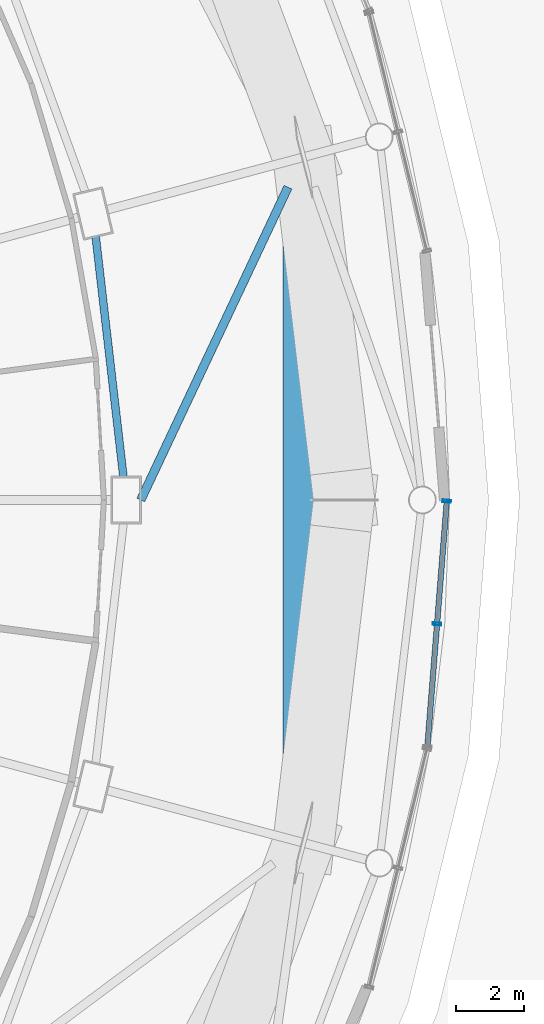
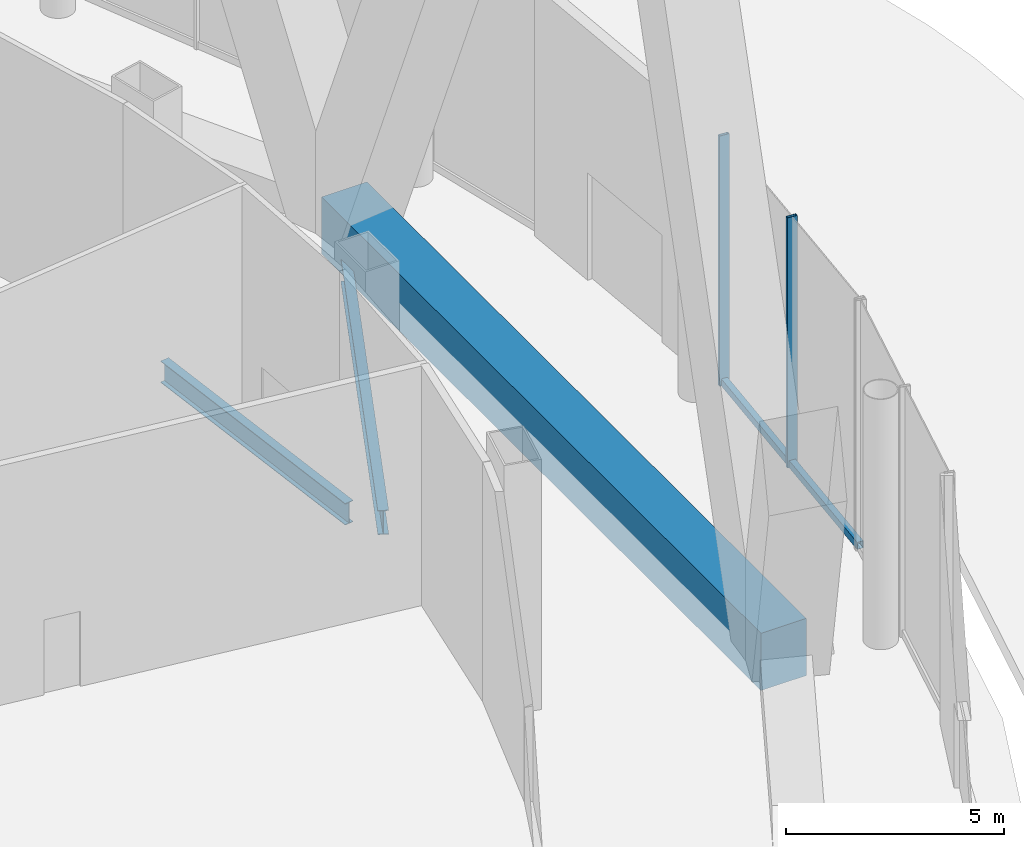
# One storey, part 36 of 67: 4 members, 2 beams, 1 element without a shape of its own.
"""IFC4 building model written with IfcOpenShell, lengths in metres."""

import ifcopenshell
import ifcopenshell.guid

model = None  # the IFC model being written
_history = None  # IfcOwnerHistory: only IFC2X3 demands one
_inside = {}  # id of a spatial element -> (the spatial element, [elements in it])
_under = {}  # id of a project, library or spatial element -> (it, [spatial elements below it])
_declared = {}  # id of a project -> (the project, [libraries it declares])
_typed = {}  # id of a type object -> (the type object, [elements of that type])
_made_of = {}  # id of a material, layer set ... -> (it, [elements and type objects made of it])


def new_model(schema):
    """Start an empty IFC model of exactly this schema.

    Asked for "IFC4X3", IfcOpenShell would pick the latest addendum, in which some entities
    have other attributes; the version numbers below select the first issue.
    IFC2X3 requires an IfcOwnerHistory on every rooted entity: one is made here for all.
    """
    global model, _history
    if schema == "IFC4X3":
        model = ifcopenshell.file(schema_version=(4, 3, 0, 0))
    else:
        model = ifcopenshell.file(schema=schema)
    _inside.clear()
    _under.clear()
    _declared.clear()
    _typed.clear()
    _made_of.clear()
    _history = None
    if model.schema == "IFC2X3":
        org = make("IfcOrganization", Name="unknown")
        user = make(
            "IfcPersonAndOrganization",
            ThePerson=make("IfcPerson", FamilyName="unknown"),
            TheOrganization=org,
        )
        app = make(
            "IfcApplication",
            ApplicationDeveloper=org,
            Version="unknown",
            ApplicationFullName="unknown",
            ApplicationIdentifier="unknown",
        )
        _history = make(
            "IfcOwnerHistory",
            OwningUser=user,
            OwningApplication=app,
            ChangeAction="ADDED",
            CreationDate=0,
        )
    return model


def make(cls, **values):
    """One entity of the class cls with the attributes given. An attribute that is None is left unset."""
    return model.create_entity(
        cls, **{name: value for name, value in values.items() if value is not None}
    )


def rooted(cls, **values):
    """An entity with a GlobalId (a new one), such as an element, a storey or a relation."""
    return make(cls, GlobalId=ifcopenshell.guid.new(), OwnerHistory=_history, **values)


def si_unit(unit_type, name, prefix=None):
    """IfcSIUnit, for example si_unit("LENGTHUNIT", "METRE", prefix="MILLI")."""
    return make("IfcSIUnit", UnitType=unit_type, Prefix=prefix, Name=name)


def assignment(units):
    """IfcUnitAssignment: the units of a project."""
    return None if units is None else make("IfcUnitAssignment", Units=units)


def point(xyz):
    """IfcCartesianPoint."""
    return None if xyz is None else make("IfcCartesianPoint", Coordinates=xyz)


def direction(xyz):
    """IfcDirection."""
    return None if xyz is None else make("IfcDirection", DirectionRatios=xyz)


def frame(location, z_axis=None, x_axis=None):
    """IfcAxis2Placement3D, a coordinate frame: its origin and axes. An axis left out is left unset."""
    return make(
        "IfcAxis2Placement3D",
        Location=point(location),
        Axis=direction(z_axis),
        RefDirection=direction(x_axis),
    )


def frame_2d(location, x_axis=None):
    """IfcAxis2Placement2D, a coordinate frame in the plane: its origin and x axis."""
    return make(
        "IfcAxis2Placement2D", Location=point(location), RefDirection=direction(x_axis)
    )


def origin():
    """The frame at (0, 0, 0) with its axes left unset."""
    return frame((0.0, 0.0, 0.0))


def origin_2d():
    """The frame at (0, 0) in the plane with its x axis left unset."""
    return frame_2d((0.0, 0.0))


def place(relative_to, where):
    """IfcLocalPlacement: puts the frame where relative to a parent placement (None: the world)."""
    return make(
        "IfcLocalPlacement", PlacementRelTo=relative_to, RelativePlacement=where
    )


def context(
    kind, dimensions, precision=None, world=None, true_north=None, identifier=None
):
    """IfcGeometricRepresentationContext, for example the 3D "Model" context."""
    return make(
        "IfcGeometricRepresentationContext",
        ContextIdentifier=identifier,
        ContextType=kind,
        CoordinateSpaceDimension=dimensions,
        Precision=precision,
        WorldCoordinateSystem=world,
        TrueNorth=true_north,
    )


def subcontext(parent, identifier, kind, view, scale=None):
    """IfcGeometricRepresentationSubContext, for example "Body" below "Model"."""
    return make(
        "IfcGeometricRepresentationSubContext",
        ContextIdentifier=identifier,
        ContextType=kind,
        ParentContext=parent,
        TargetScale=scale,
        TargetView=view,
    )


def project(units=None, contexts=None):
    """IfcProject with its units and contexts."""
    return rooted(
        "IfcProject",
        Name="project",
        RepresentationContexts=contexts,
        UnitsInContext=assignment(units),
    )


def spatial(cls, under=None, at=None, **own):
    """A site, building, storey or space (cls), placed at a placement, below another one or the project."""
    s = rooted(cls, ObjectPlacement=at, **own)
    if under is not None:
        _under.setdefault(under.id(), (under, []))[1].append(s)
    return s


def profile(cls, at=None, kind="AREA", **sizes):
    """A parametric profile (cls). Its sizes go by their IFC names, for example OverallWidth=200.0."""
    return make(cls, ProfileType=kind, Position=at, **sizes)


def rectangle(**sizes):
    """IfcRectangleProfileDef."""
    return profile("IfcRectangleProfileDef", **sizes)


def hollow_rectangle(**sizes):
    """IfcRectangleHollowProfileDef."""
    return profile("IfcRectangleHollowProfileDef", **sizes)


def i_section(**sizes):
    """IfcIShapeProfileDef."""
    return profile("IfcIShapeProfileDef", **sizes)


def extrude(swept, where, along, depth):
    """IfcExtrudedAreaSolid: the profile swept, set in the frame where, extruded along a direction by depth."""
    return make(
        "IfcExtrudedAreaSolid",
        SweptArea=swept,
        Position=where,
        ExtrudedDirection=direction(along),
        Depth=depth,
    )


def shape(context_of_items, identifier, shape_type, items):
    """IfcShapeRepresentation: the items that make up one representation, for example the "Body"."""
    return make(
        "IfcShapeRepresentation",
        ContextOfItems=context_of_items,
        RepresentationIdentifier=identifier,
        RepresentationType=shape_type,
        Items=items,
    )


def material(Name=None, Category=None):
    """IfcMaterial."""
    return make("IfcMaterial", Name=Name, Category=Category)


def layer(
    of_material, thickness, ventilated=None, Name=None, Category=None, Priority=None
):
    """IfcMaterialLayer: one layer of a wall or slab, of a material (None: an air gap)."""
    return make(
        "IfcMaterialLayer",
        Material=of_material,
        LayerThickness=thickness,
        IsVentilated=ventilated,
        Name=Name,
        Category=Category,
        Priority=Priority,
    )


def layer_set(layers, Name=None):
    """IfcMaterialLayerSet."""
    return make("IfcMaterialLayerSet", MaterialLayers=layers, LayerSetName=Name)


def material_profile(
    of_material, cross_section, Name=None, Category=None, Priority=None
):
    """IfcMaterialProfile: a cross section and its material."""
    return make(
        "IfcMaterialProfile",
        Name=Name,
        Material=of_material,
        Profile=cross_section,
        Priority=Priority,
        Category=Category,
    )


def profile_set(profiles, Name=None, composite=None):
    """IfcMaterialProfileSet."""
    return make(
        "IfcMaterialProfileSet",
        Name=Name,
        MaterialProfiles=profiles,
        CompositeProfile=composite,
    )


def made_of(thing, what):
    """Note that an element or type object is made of a material, layer set ...; save() writes the relation."""
    if what is not None:
        _made_of.setdefault(what.id(), (what, []))[1].append(thing)
    return thing


def type_object(cls, material=None, **own):
    """A type object (cls), such as IfcWallType, which elements share."""
    return made_of(rooted(cls, **own), material)


def element(
    cls,
    number,
    at=None,
    inside=None,
    cuts=None,
    type_object=None,
    material=None,
    context=None,
    identifier="Body",
    shape_type=None,
    held_by="IfcProductDefinitionShape",
    body=None,
    shapes=None,
    **own,
):
    """One element of the class cls, such as IfcWall. Its Tag is "e" and its number.

    at: its placement. inside: the storey or other place that contains it. cuts: it is an
    opening in that element (IfcRelVoidsElement). A single representation is given by context,
    identifier, shape_type and body (its items); several are given by shapes. held_by: the class
    of the entity that holds the representations. save() writes the other relations.
    """
    e = rooted(cls, Tag="e%d" % number, ObjectPlacement=at, **own)
    if body is not None:
        shapes = [shape(context, identifier, shape_type, body)]
    if shapes is not None:
        e.Representation = make(held_by, Representations=shapes)
    if inside is not None:
        _inside.setdefault(inside.id(), (inside, []))[1].append(e)
    if cuts is not None:
        rooted(
            "IfcRelVoidsElement", RelatingBuildingElement=cuts, RelatedOpeningElement=e
        )
    if type_object is not None:
        _typed.setdefault(type_object.id(), (type_object, []))[1].append(e)
    return made_of(e, material)


def aggregate(whole, parts):
    """IfcRelAggregates: a whole, such as a stair, and the parts it consists of."""
    return rooted("IfcRelAggregates", RelatingObject=whole, RelatedObjects=parts)


def save(model, path):
    """Write the relations noted so far, then the file.

    IfcRelAggregates (storeys below a building ...), IfcRelContainedInSpatialStructure (elements
    in a storey), IfcRelDefinesByType, IfcRelAssociatesMaterial and IfcRelDeclares: one each for
    every whole, place, type object, material and project.
    """
    for whole, parts in _under.values():
        aggregate(whole, parts)
    for where, things in _inside.values():
        rooted(
            "IfcRelContainedInSpatialStructure",
            RelatedElements=things,
            RelatingStructure=where,
        )
    for kind, things in _typed.values():
        rooted("IfcRelDefinesByType", RelatedObjects=things, RelatingType=kind)
    for what, things in _made_of.values():
        rooted("IfcRelAssociatesMaterial", RelatedObjects=things, RelatingMaterial=what)
    for by, libraries in _declared.values():
        rooted("IfcRelDeclares", RelatingContext=by, RelatedDefinitions=libraries)
    model.write(path)


model = new_model("IFC4")

# Units and contexts
model_context = context("Model", 3, precision=1e-05, world=origin(), true_north=direction((0.0, 1.0)))
body_context = subcontext(model_context, "Body", "Model", "MODEL_VIEW")
ifc_project = project(units=[si_unit("LENGTHUNIT", "METRE"), si_unit("AREAUNIT", "SQUARE_METRE"), si_unit("VOLUMEUNIT", "CUBIC_METRE"), si_unit("PLANEANGLEUNIT", "RADIAN"), si_unit("MASSUNIT", "GRAM", prefix="KILO")], contexts=[model_context])

# Site, building, storey
site_placement = place(None, origin())
site = spatial("IfcSite", under=ifc_project, at=site_placement, CompositionType="ELEMENT")
building_placement = place(site_placement, origin())
building = spatial("IfcBuilding", under=site, at=building_placement, Name="Nagisa Residences", CompositionType="ELEMENT")
storey_placement = place(building_placement, origin())
storey = spatial("IfcBuildingStorey", under=building, at=storey_placement, Name="L00", CompositionType="ELEMENT", Elevation=0.0)

# Beam
ifc_material_1 = material(Name="Steel ASTM A572 Gr 50", Category="steel")
ifc_material_profile_1 = material_profile(ifc_material_1, i_section(OverallWidth=0.2529296875, OverallDepth=0.677978515625, WebThickness=0.01171875, FlangeThickness=0.016357421875, at=origin_2d()), Name="W690x125")
ifc_profile_set_1 = profile_set([ifc_material_profile_1], Name="Steel ASTM A572 Gr 50")
beam_type_1 = type_object("IfcBeamType", Name="Atrium outer beam W690x125", PredefinedType="BEAM", material=ifc_profile_set_1)
beam_1_placement = place(storey_placement, frame((32.530029296875, 0.0, -0.739013671875), z_axis=(0.425917471077, 0.904762017235, 0.0), x_axis=(-0.904762017235, 0.425917471077, 0.0)))
element("IfcBeam", 1, at=beam_1_placement, inside=storey, type_object=beam_type_1, Name="beam:L00:er01a", PredefinedType="BEAM", context=body_context, shape_type="SweptSolid", body=[
    extrude(i_section(OverallWidth=0.2529296875, OverallDepth=0.677978515625, WebThickness=0.01171875, FlangeThickness=0.016357421875, at=origin_2d()), origin(), (0.0, 0.0, 1.0), 10.15283203125),
])

# Curtain wall, members
ifc_material_2 = material(Name="Stainless steel curtain wall system", Category="steel")
ifc_layer = layer(ifc_material_2, 0.159912109375)
ifc_layer_set = layer_set([ifc_layer], Name="CW3 CURTAIN WALL")
curtain_wall_type = type_object("IfcCurtainWallType", Name="CW3 CURTAIN WALL", PredefinedType="NOTDEFINED", material=ifc_layer_set)
curtain_wall_placement = place(storey_placement, origin())
curtain_wall = element("IfcCurtainWall", 2, at=curtain_wall_placement, inside=storey, type_object=curtain_wall_type, Name="cw:CW3:L00:35", PredefinedType="NOTDEFINED")
ifc_material_3 = material(Name="Stainless steel", Category="steel")
ifc_material_profile_2 = material_profile(ifc_material_3, hollow_rectangle(XDim=0.25, YDim=0.080078125, WallThickness=0.008056640625, at=origin_2d()), Name="CW3 MULLION 250x80")
ifc_profile_set_2 = profile_set([ifc_material_profile_2], Name="Stainless steel")
member_type_1 = type_object("IfcMemberType", Name="CW3 MULLION 250x80", PredefinedType="MULLION", material=ifc_profile_set_2)
member_1_placement = place(storey_placement, frame((41.231689453125, -3.640380859375, 0.0), z_axis=(0.0, 0.0, 1.0), x_axis=(-0.996881777235, 0.078909582539, 0.0)))
member_1 = element("IfcMember", 3, at=member_1_placement, type_object=member_type_1, Name="CW3 mullion", PredefinedType="MULLION", context=body_context, shape_type="SweptSolid", body=[
    extrude(hollow_rectangle(XDim=0.25, YDim=0.080078125, WallThickness=0.008056640625, at=origin_2d()), origin(), (0.0, 0.0, 1.0), 7.0),
])
member_2_placement = place(storey_placement, frame((41.51708984375, -0.033447265625, 0.0), z_axis=(0.0, 0.0, 1.0), x_axis=(-0.996881777235, 0.078909582539, 0.0)))
member_2 = element("IfcMember", 4, at=member_2_placement, type_object=member_type_1, Name="CW3 mullion", PredefinedType="MULLION", context=body_context, shape_type="SweptSolid", body=[
    extrude(hollow_rectangle(XDim=0.25, YDim=0.080078125, WallThickness=0.008056640625, at=origin_2d()), origin(), (0.0, 0.0, 1.0), 7.0),
])
ifc_material_4 = material(Name="Stainless steel", Category="steel")
ifc_material_profile_3 = material_profile(ifc_material_4, hollow_rectangle(XDim=0.159912109375, YDim=0.199951171875, WallThickness=0.008056640625, at=origin_2d()), Name="CW3 TRANSOM 160x200")
ifc_profile_set_3 = profile_set([ifc_material_profile_3], Name="Stainless steel")
member_type_2 = type_object("IfcMemberType", Name="CW3 TRANSOM 160x200", PredefinedType="USERDEFINED", material=ifc_profile_set_3)
member_3_placement = place(storey_placement, frame((40.94287109375, -7.286865234375, 0.10009765625), z_axis=(0.078921540002, 0.996880830653, 0.0), x_axis=(-0.996880830653, 0.078921540002, 0.0)))
member_3 = element("IfcMember", 5, at=member_3_placement, type_object=member_type_2, Name="CW3 transom", ObjectType="TRANSOM", PredefinedType="USERDEFINED", context=body_context, shape_type="SweptSolid", body=[
    extrude(hollow_rectangle(XDim=0.159912109375, YDim=0.199951171875, WallThickness=0.008056640625, at=origin_2d()), origin(), (0.0, 0.0, 1.0), 7.31591796875),
])
aggregate(curtain_wall, [member_1, member_2, member_3])

# Member
ifc_material_5 = material(Name="Concrete C80", Category="concrete")
ifc_material_profile_4 = material_profile(ifc_material_5, rectangle(XDim=1.199951171875, YDim=1.60009765625, at=origin_2d()), Name="C80 1200x1600")
ifc_profile_set_4 = profile_set([ifc_material_profile_4], Name="Concrete C80")
member_type_3 = type_object("IfcMemberType", Name="Cage ring 1 C80 1200x1600", PredefinedType="CHORD", material=ifc_profile_set_4)
member_4_placement = place(storey_placement, frame((37.310791015625, -10.068115234375, 0.0), z_axis=(0.0, 1.0, 0.0), x_axis=(-1.0, 0.0, 0.0)))
element("IfcMember", 6, at=member_4_placement, inside=storey, type_object=member_type_3, Name="beam:L00:cg1r012", PredefinedType="CHORD", context=body_context, shape_type="SweptSolid", body=[
    extrude(rectangle(XDim=1.199951171875, YDim=1.60009765625, at=origin_2d()), origin(), (0.0, 0.0, 1.0), 20.13623046875),
])

# Beam
ifc_material_6 = material(Name="Steel ASTM A572 Gr 50", Category="steel")
ifc_material_profile_5 = material_profile(ifc_material_6, i_section(OverallWidth=0.22802734375, OverallDepth=0.60302734375, WebThickness=0.010498046875, FlangeThickness=0.014892578125, at=origin_2d()), Name="W610x101")
ifc_profile_set_5 = profile_set([ifc_material_profile_5], Name="Steel ASTM A572 Gr 50")
beam_type_2 = type_object("IfcBeamType", Name="Perimeter ring beam W610x101", PredefinedType="BEAM", material=ifc_profile_set_5)
beam_2_placement = place(storey_placement, frame((32.021484375, 0.68017578125, -0.701416015625), z_axis=(-0.114673717321, 0.993403210462, 0.0), x_axis=(-0.993403210462, -0.114673717321, 0.0)))
element("IfcBeam", 7, at=beam_2_placement, inside=storey, type_object=beam_type_2, Name="beam:L00:pb01", PredefinedType="BEAM", context=body_context, shape_type="SweptSolid", body=[
    extrude(i_section(OverallWidth=0.22802734375, OverallDepth=0.60302734375, WebThickness=0.010498046875, FlangeThickness=0.014892578125, at=origin_2d()), origin(), (0.0, 0.0, 1.0), 7.09814453125),
])

save(model, "model.ifc")
